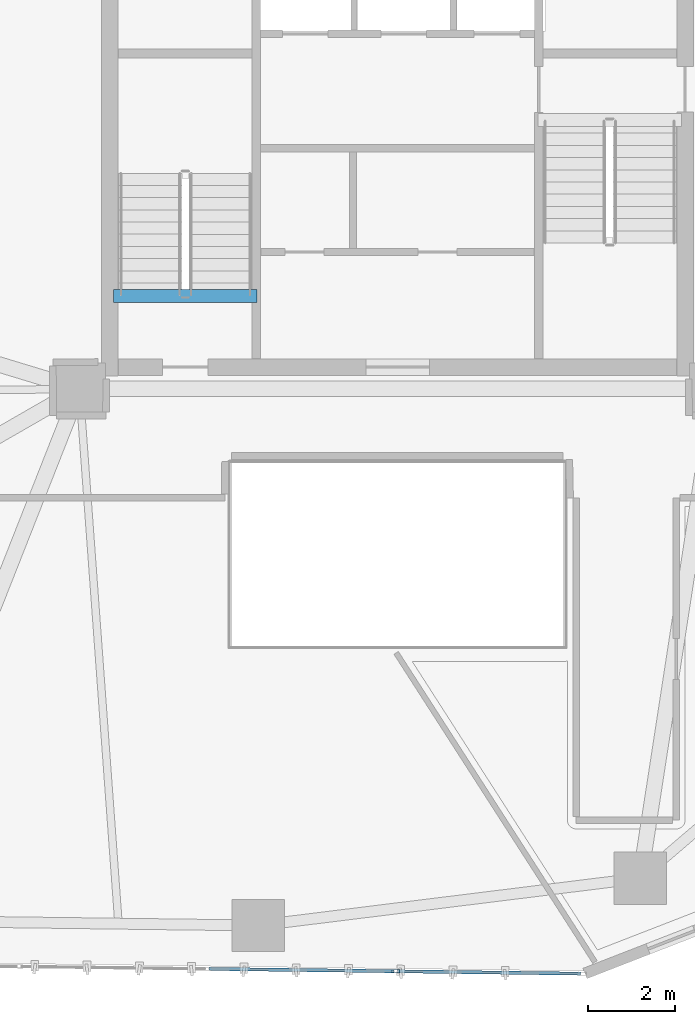
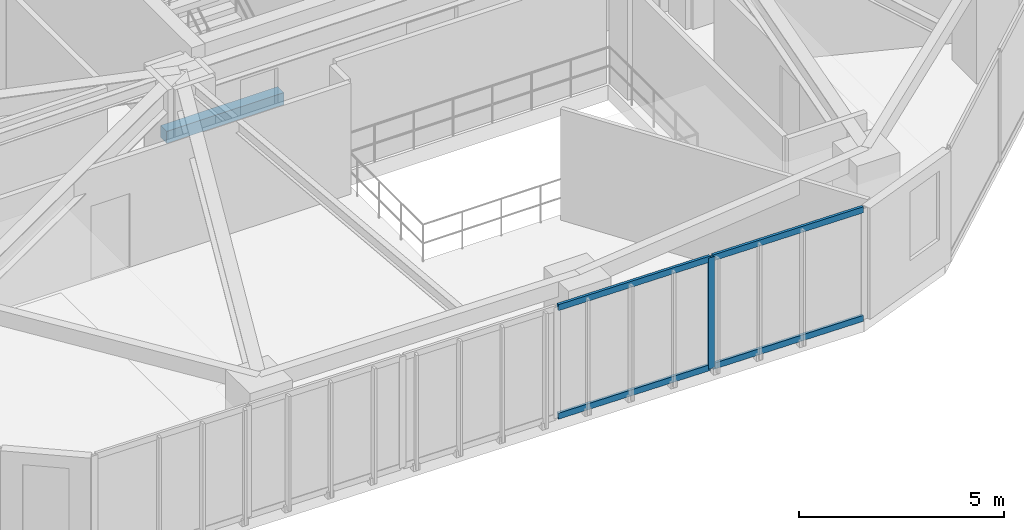
# One storey, part 5 of 22: 5 members, 1 beam, 1 element without a shape of its own.
"""IFC4 building model written with IfcOpenShell, lengths in metres."""

from ifc_helpers import new_model, si_unit, direction, frame, origin, origin_2d, place, context, subcontext, project, spatial, rectangle, hollow_rectangle, extrude, source, transform, mapped, material, layer, layer_set, material_profile, profile_set, type_object, type_shapes, element, aggregate, save


model = new_model("IFC4")

# Units and contexts
model_context = context("Model", 3, precision=1e-05, world=origin(), true_north=direction((0.0, 1.0)))
body_context = subcontext(model_context, "Body", "Model", "MODEL_VIEW")
ifc_project = project(units=[si_unit("LENGTHUNIT", "METRE"), si_unit("AREAUNIT", "SQUARE_METRE"), si_unit("VOLUMEUNIT", "CUBIC_METRE"), si_unit("PLANEANGLEUNIT", "RADIAN"), si_unit("MASSUNIT", "GRAM", prefix="KILO")], contexts=[model_context])

# Site, building, storey
site_placement = place(None, origin())
site = spatial("IfcSite", under=ifc_project, at=site_placement, CompositionType="ELEMENT")
building_placement = place(site_placement, origin())
building = spatial("IfcBuilding", under=site, at=building_placement, Name="Talar Marvaseh", CompositionType="ELEMENT")
storey_placement = place(building_placement, frame((0.0, 0.0, 89.39990234375)))
storey = spatial("IfcBuildingStorey", under=building, at=storey_placement, Name="L22", CompositionType="ELEMENT", Elevation=89.39990234375)

# Beam
ifc_material_1 = material(Name="Concrete C40/50", Category="concrete")
ifc_material_profile_1 = material_profile(ifc_material_1, rectangle(XDim=0.300048828125, YDim=0.360107421875, at=origin_2d()), Name="RC300x360")
ifc_profile_set_1 = profile_set([ifc_material_profile_1], Name="Concrete C40/50")
beam_type = type_object("IfcBeamType", Name="Concrete Stair Landing Trimmer Beam RC300x360", PredefinedType="SPANDREL", material=ifc_profile_set_1)
beam_placement = place(storey_placement, frame((22.780029296875, 27.6298828125, -0.179931640625), z_axis=(-1.0, 0.0, 0.0), x_axis=(0.0, -1.0, 0.0)))
element("IfcBeam", 1, at=beam_placement, inside=storey, type_object=beam_type, Name="L22 ST-1 Stair Nosing Trimmer Beam", PredefinedType="SPANDREL", context=body_context, shape_type="SweptSolid", body=[
    extrude(rectangle(XDim=0.300048828125, YDim=0.360107421875, at=origin_2d()), origin(), (0.0, 0.0, 1.0), 3.300048828125),
])

# Curtain wall, members
ifc_material_2 = material(Name="Architectural Aluminium", Category="aluminium")
ifc_layer = layer(ifc_material_2, 0.199951171875)
ifc_layer_set = layer_set([ifc_layer], Name="Architectural Aluminium")
curtain_wall_type = type_object("IfcCurtainWallType", Name="Unitised Acoustic Library Curtain Wall Z2", PredefinedType="NOTDEFINED", material=ifc_layer_set)
curtain_wall_placement = place(storey_placement, origin())
curtain_wall = element("IfcCurtainWall", 2, at=curtain_wall_placement, inside=storey, type_object=curtain_wall_type, Name="L22 Unitised Acoustic Library Curtain Wall Z2", PredefinedType="NOTDEFINED")
ifc_material_profile_2 = material_profile(ifc_material_2, hollow_rectangle(XDim=0.074951171875, YDim=0.179931640625, WallThickness=0.0048828125, at=origin_2d()), Name="RHS180x75x5")
ifc_profile_set_2 = profile_set([ifc_material_profile_2], Name="Architectural Aluminium")
member_type_1 = type_object("IfcMemberType", Name="Unitised Curtain Wall Standard Mullion RHS180x75x5", PredefinedType="MULLION", material=ifc_profile_set_2)
shared_shape_1 = source(origin(), body_context, "Body", "SweptSolid", [
    extrude(hollow_rectangle(XDim=0.074951171875, YDim=0.179931640625, WallThickness=0.0048828125, at=origin_2d()), origin(), (0.0, 0.0, 1.0), 3.31005859375),
])
type_shapes(member_type_1, [shared_shape_1])
member_1_placement = place(storey_placement, frame((25.957763671875, 12.132568359375, 0.0), z_axis=(0.0, 0.0, 1.0), x_axis=(-0.01293384095, -0.999916354381, 0.0)))
member_1 = element("IfcMember", 3, at=member_1_placement, type_object=member_type_1, Name="CW-Z2 mullion 2", PredefinedType="MULLION", context=body_context, shape_type="MappedRepresentation", body=[
    mapped(shared_shape_1, transform((0.0, 0.0, 0.0), x_axis=(1.0, 0.0, 0.0), y_axis=(0.0, 1.0, 0.0), z_axis=(0.0, 0.0, 1.0), scale=1.0)),
])
ifc_material_profile_3 = material_profile(ifc_material_2, hollow_rectangle(XDim=0.074951171875, YDim=0.179931640625, WallThickness=0.0048828125, at=origin_2d()), Name="RHS180x75x5")
ifc_profile_set_3 = profile_set([ifc_material_profile_3], Name="Architectural Aluminium")
member_type_2 = type_object("IfcMemberType", Name="Unitised Curtain Wall Transom RHS180x75x5", PredefinedType="USERDEFINED", material=ifc_profile_set_3)
shared_shape_2 = source(origin(), body_context, "Body", "SweptSolid", [
    extrude(hollow_rectangle(XDim=0.074951171875, YDim=0.179931640625, WallThickness=0.0048828125, at=origin_2d()), origin(), (0.0, 0.0, 1.0), 4.24853515625),
])
member_2_placement = place(storey_placement, frame((25.92041015625, 12.133056640625, 0.03759765625), z_axis=(-0.999916414264, 0.012929210575, 0.0), x_axis=(-0.012929210575, -0.999916414264, 0.0)))
member_2 = element("IfcMember", 4, at=member_2_placement, type_object=member_type_2, Name="CW-Z2 transom 2.1", ObjectType="TRANSOM", PredefinedType="USERDEFINED", context=body_context, shape_type="MappedRepresentation", body=[
    mapped(shared_shape_2, transform((0.0, 0.0, 0.0), x_axis=(1.0, 0.0, 0.0), y_axis=(0.0, 1.0, 0.0), z_axis=(0.0, 0.0, 1.0), scale=1.0)),
])
member_3_placement = place(storey_placement, frame((25.92041015625, 12.133056640625, 3.272705078125), z_axis=(-0.999916414264, 0.012929210575, 0.0), x_axis=(-0.012929210575, -0.999916414264, 0.0)))
member_3 = element("IfcMember", 5, at=member_3_placement, type_object=member_type_2, Name="CW-Z2 transom 2.2", ObjectType="TRANSOM", PredefinedType="USERDEFINED", context=body_context, shape_type="MappedRepresentation", body=[
    mapped(shared_shape_2, transform((0.0, 0.0, 0.0), x_axis=(1.0, 0.0, 0.0), y_axis=(0.0, 1.0, 0.0), z_axis=(0.0, 0.0, 1.0), scale=1.0)),
])
shared_shape_3 = source(origin(), body_context, "Body", "SweptSolid", [
    extrude(hollow_rectangle(XDim=0.074951171875, YDim=0.179931640625, WallThickness=0.0048828125, at=origin_2d()), origin(), (0.0, 0.0, 1.0), 4.2109375),
])
type_shapes(member_type_2, [shared_shape_2, shared_shape_3])
member_4_placement = place(storey_placement, frame((30.2060546875, 12.07763671875, 0.03759765625), z_axis=(-0.999916420811, 0.012928704229, 0.0), x_axis=(-0.012928704229, -0.999916420811, 0.0)))
member_4 = element("IfcMember", 6, at=member_4_placement, type_object=member_type_2, Name="CW-Z2 transom 1.1", ObjectType="TRANSOM", PredefinedType="USERDEFINED", context=body_context, shape_type="MappedRepresentation", body=[
    mapped(shared_shape_3, transform((0.0, 0.0, 0.0), x_axis=(1.0, 0.0, 0.0), y_axis=(0.0, 1.0, 0.0), z_axis=(0.0, 0.0, 1.0), scale=1.0)),
])
member_5_placement = place(storey_placement, frame((30.2060546875, 12.07763671875, 3.272705078125), z_axis=(-0.999916420811, 0.012928704229, 0.0), x_axis=(-0.012928704229, -0.999916420811, 0.0)))
member_5 = element("IfcMember", 7, at=member_5_placement, type_object=member_type_2, Name="CW-Z2 transom 1.2", ObjectType="TRANSOM", PredefinedType="USERDEFINED", context=body_context, shape_type="MappedRepresentation", body=[
    mapped(shared_shape_3, transform((0.0, 0.0, 0.0), x_axis=(1.0, 0.0, 0.0), y_axis=(0.0, 1.0, 0.0), z_axis=(0.0, 0.0, 1.0), scale=1.0)),
])
aggregate(curtain_wall, [member_1, member_4, member_5, member_2, member_3])

save(model, "model.ifc")
